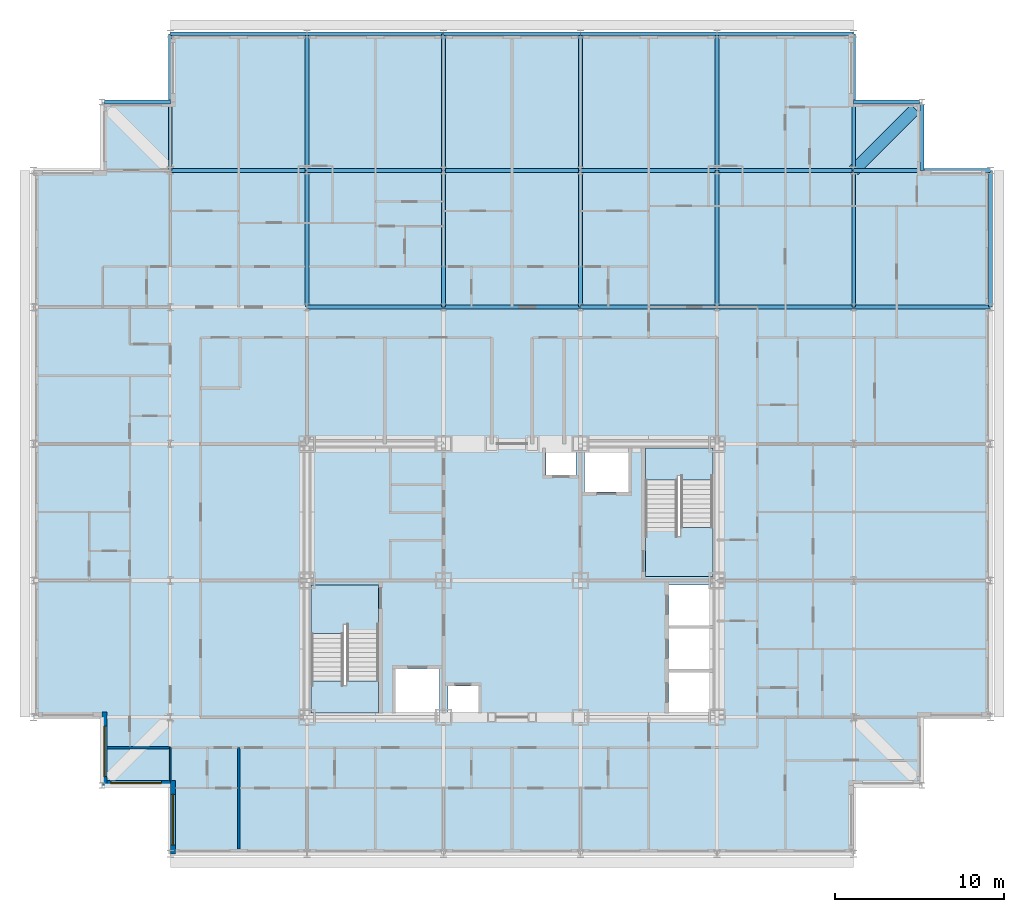
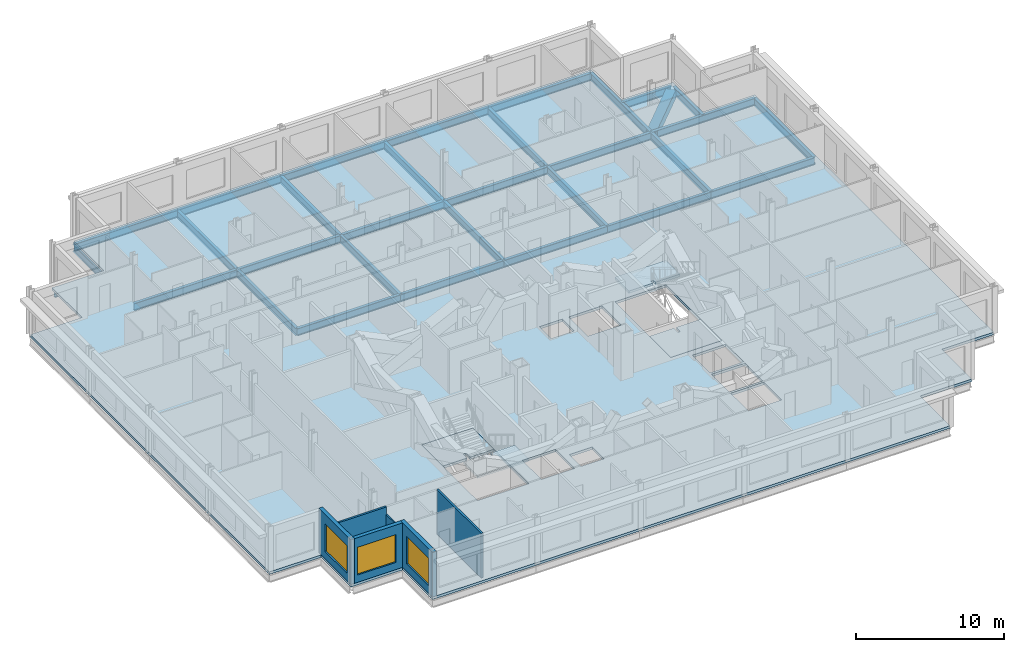
# One storey, part 6 of 16: 32 beams, 6 walls, 5 slabs, 3 windows, 3 openings, 2 elements without a shape of their own.
"""IFC4 building model written with IfcOpenShell, lengths in metres."""

from ifc_helpers import new_model, si_unit, direction, frame, frame_2d, origin, origin_2d, place, context, subcontext, project, spatial, polyline, rectangle, hollow_rectangle, i_section, outline, extrude, material, layer, layer_set, material_profile, profile_set, type_object, element, fill, aggregate, save


model = new_model("IFC4")

# Units and contexts
model_context = context("Model", 3, precision=1e-05, world=origin(), true_north=direction((0.0, 1.0)))
body_context = subcontext(model_context, "Body", "Model", "MODEL_VIEW")
ifc_project = project(units=[si_unit("LENGTHUNIT", "METRE"), si_unit("AREAUNIT", "SQUARE_METRE"), si_unit("VOLUMEUNIT", "CUBIC_METRE"), si_unit("PLANEANGLEUNIT", "RADIAN"), si_unit("MASSUNIT", "GRAM", prefix="KILO")], contexts=[model_context])

# Site, building, storey
site_placement = place(None, origin())
site = spatial("IfcSite", under=ifc_project, at=site_placement, CompositionType="ELEMENT")
building_placement = place(site_placement, origin())
building = spatial("IfcBuilding", under=site, at=building_placement, Name="Kopane Lantern Tower", CompositionType="ELEMENT")
storey_placement = place(building_placement, frame((0.0, 0.0, 265.800048828125)))
storey = spatial("IfcBuildingStorey", under=building, at=storey_placement, Name="L68", CompositionType="ELEMENT", Elevation=265.800048828125)

# Beams
ifc_material_1 = material(Name="Steel S355JR", Category="steel")
ifc_material_profile_1 = material_profile(ifc_material_1, hollow_rectangle(XDim=0.699951171875, YDim=0.699951171875, WallThickness=0.06005859375, at=origin_2d()), Name="BOX 700x700x60")
ifc_profile_set_1 = profile_set([ifc_material_profile_1], Name="Steel S355JR")
beam_type_1 = type_object("IfcBeamType", Name="CORNER TIE BEAM BOX 700x700x60", PredefinedType="BEAM", material=ifc_profile_set_1)
beam_1_placement = place(storey_placement, frame((52.25244140625, 60.3525390625, -0.56005859375), z_axis=(-0.707083148333, -0.70713041325, 0.0), x_axis=(0.70713041325, -0.707083148333, 0.0)))
element("IfcBeam", 1, at=beam_1_placement, inside=storey, type_object=beam_type_1, Name="Corner Tie Beam L68", PredefinedType="BEAM", context=body_context, shape_type="SweptSolid", body=[
    extrude(hollow_rectangle(XDim=0.699951171875, YDim=0.699951171875, WallThickness=0.06005859375, at=origin_2d()), origin(), (0.0, 0.0, 1.0), 5.165283203125),
])
ifc_material_2 = material(Name="Steel S355JR", Category="steel")
ifc_material_profile_2 = material_profile(ifc_material_2, i_section(OverallWidth=0.22900390625, OverallDepth=0.6123046875, WebThickness=0.011962890625, FlangeThickness=0.01953125, FilletRadius=0.0126953125, at=origin_2d()), Name="UB 610x229x125")
ifc_profile_set_2 = profile_set([ifc_material_profile_2], Name="Steel S355JR")
beam_type_2 = type_object("IfcBeamType", Name="EDGE BEAM UB 610x229x125", PredefinedType="BEAM", material=ifc_profile_set_2)
beam_2_placement = place(storey_placement, frame((4.20361328125, 60.75, -0.51611328125), z_axis=(1.0, 0.0, 0.0), x_axis=(0.0, 1.0, 0.0)))
element("IfcBeam", 2, at=beam_2_placement, inside=storey, type_object=beam_type_2, Name="Edge Beam L68", PredefinedType="BEAM", context=body_context, shape_type="SweptSolid", body=[
    extrude(i_section(OverallWidth=0.22900390625, OverallDepth=0.6123046875, WebThickness=0.011962890625, FlangeThickness=0.01953125, FilletRadius=0.0126953125, at=origin_2d()), origin(), (0.0, 0.0, 1.0), 3.896484375),
])
for number, where, z_axis, x_axis, name in (
    (3, (52.496337890625, 60.75, -0.51611328125), (-1.0, 0.0, 0.0), (0.0, -1.0, 0.0), "Edge Beam L68"),
    (4, (52.64990234375, 60.59619140625, -0.51611328125), (0.0, -1.0, 0.0), (1.0, 0.0, 0.0), "Edge Beam L68"),
):
    element("IfcBeam", number, at=place(storey_placement, frame(where, z_axis=z_axis, x_axis=x_axis)), inside=storey, type_object=beam_type_2, Name=name, PredefinedType="BEAM", context=body_context, shape_type="SweptSolid", body=[
        extrude(i_section(OverallWidth=0.22900390625, OverallDepth=0.6123046875, WebThickness=0.011962890625, FlangeThickness=0.01953125, FilletRadius=0.0126953125, at=origin_2d()), origin(), (0.0, 0.0, 1.0), 3.896240234375),
    ])
ifc_material_3 = material(Name="Steel S355JR", Category="steel")
ifc_material_profile_3 = material_profile(ifc_material_3, i_section(OverallWidth=0.22900390625, OverallDepth=0.6123046875, WebThickness=0.011962890625, FlangeThickness=0.01953125, FilletRadius=0.0126953125, at=origin_2d()), Name="UB 610x229x125")
ifc_profile_set_3 = profile_set([ifc_material_profile_3], Name="Steel S355JR")
beam_type_3 = type_object("IfcBeamType", Name="GIRDER UB 610x229x125", PredefinedType="BEAM", material=ifc_profile_set_3)
beam_3_placement = place(storey_placement, frame((8.10009765625, 56.699951171875, -0.51611328125), z_axis=(0.0, 1.0, 0.0), x_axis=(-1.0, 0.0, 0.0)))
element("IfcBeam", 5, at=beam_3_placement, inside=storey, type_object=beam_type_3, Name="Girder L68", PredefinedType="BEAM", context=body_context, shape_type="SweptSolid", body=[
    extrude(i_section(OverallWidth=0.22900390625, OverallDepth=0.6123046875, WebThickness=0.011962890625, FlangeThickness=0.01953125, FilletRadius=0.0126953125, at=origin_2d()), origin(), (0.0, 0.0, 1.0), 8.10009765625),
])
for number, where, z_axis, x_axis, name in (
    (6, (8.10009765625, 56.699951171875, -0.51611328125), (1.0, 0.0, 0.0), (0.0, 1.0, 0.0), "Girder L68"),
    (7, (8.10009765625, 64.800048828125, -0.51611328125), (1.0, 0.0, 0.0), (0.0, 1.0, 0.0), "Girder L68"),
    (8, (16.199951171875, 48.60009765625, -0.51611328125), (0.0, 1.0, 0.0), (-1.0, 0.0, 0.0), "Girder L68"),
):
    element("IfcBeam", number, at=place(storey_placement, frame(where, z_axis=z_axis, x_axis=x_axis)), inside=storey, type_object=beam_type_3, Name=name, PredefinedType="BEAM", context=body_context, shape_type="SweptSolid", body=[
        extrude(i_section(OverallWidth=0.22900390625, OverallDepth=0.6123046875, WebThickness=0.011962890625, FlangeThickness=0.01953125, FilletRadius=0.0126953125, at=origin_2d()), origin(), (0.0, 0.0, 1.0), 8.099853515625),
    ])
for number, where, z_axis, x_axis, name in (
    (9, (16.199951171875, 48.60009765625, -0.51611328125), (1.0, 0.0, 0.0), (0.0, 1.0, 0.0), "Girder L68"),
    (10, (16.199951171875, 56.699951171875, -0.51611328125), (0.0, 1.0, 0.0), (-1.0, 0.0, 0.0), "Girder L68"),
    (11, (16.199951171875, 56.699951171875, -0.51611328125), (1.0, 0.0, 0.0), (0.0, 1.0, 0.0), "Girder L68"),
    (12, (16.199951171875, 64.800048828125, -0.51611328125), (1.0, 0.0, 0.0), (0.0, 1.0, 0.0), "Girder L68"),
):
    element("IfcBeam", number, at=place(storey_placement, frame(where, z_axis=z_axis, x_axis=x_axis)), inside=storey, type_object=beam_type_3, Name=name, PredefinedType="BEAM", context=body_context, shape_type="SweptSolid", body=[
        extrude(i_section(OverallWidth=0.22900390625, OverallDepth=0.6123046875, WebThickness=0.011962890625, FlangeThickness=0.01953125, FilletRadius=0.0126953125, at=origin_2d()), origin(), (0.0, 0.0, 1.0), 8.10009765625),
    ])
for number, where, z_axis, x_axis, name in (
    (13, (24.300048828125, 48.60009765625, -0.51611328125), (0.0, 1.0, 0.0), (-1.0, 0.0, 0.0), "Girder L68"),
    (14, (24.300048828125, 48.60009765625, -0.51611328125), (1.0, 0.0, 0.0), (0.0, 1.0, 0.0), "Girder L68"),
):
    element("IfcBeam", number, at=place(storey_placement, frame(where, z_axis=z_axis, x_axis=x_axis)), inside=storey, type_object=beam_type_3, Name=name, PredefinedType="BEAM", context=body_context, shape_type="SweptSolid", body=[
        extrude(i_section(OverallWidth=0.22900390625, OverallDepth=0.6123046875, WebThickness=0.011962890625, FlangeThickness=0.01953125, FilletRadius=0.0126953125, at=origin_2d()), origin(), (0.0, 0.0, 1.0), 8.099853515625),
    ])
beam_4_placement = place(storey_placement, frame((24.300048828125, 56.699951171875, -0.51611328125), z_axis=(0.0, 1.0, 0.0), x_axis=(-1.0, 0.0, 0.0)))
element("IfcBeam", 15, at=beam_4_placement, inside=storey, type_object=beam_type_3, Name="Girder L68", PredefinedType="BEAM", context=body_context, shape_type="SweptSolid", body=[
    extrude(i_section(OverallWidth=0.22900390625, OverallDepth=0.6123046875, WebThickness=0.011962890625, FlangeThickness=0.01953125, FilletRadius=0.0126953125, at=origin_2d()), origin(), (0.0, 0.0, 1.0), 8.10009765625),
])
for number, where, z_axis, x_axis, name in (
    (16, (24.300048828125, 56.699951171875, -0.51611328125), (1.0, 0.0, 0.0), (0.0, 1.0, 0.0), "Girder L68"),
    (17, (24.300048828125, 64.800048828125, -0.51611328125), (1.0, 0.0, 0.0), (0.0, 1.0, 0.0), "Girder L68"),
    (18, (32.39990234375, 48.60009765625, -0.51611328125), (0.0, 1.0, 0.0), (-1.0, 0.0, 0.0), "Girder L68"),
):
    element("IfcBeam", number, at=place(storey_placement, frame(where, z_axis=z_axis, x_axis=x_axis)), inside=storey, type_object=beam_type_3, Name=name, PredefinedType="BEAM", context=body_context, shape_type="SweptSolid", body=[
        extrude(i_section(OverallWidth=0.22900390625, OverallDepth=0.6123046875, WebThickness=0.011962890625, FlangeThickness=0.01953125, FilletRadius=0.0126953125, at=origin_2d()), origin(), (0.0, 0.0, 1.0), 8.099853515625),
    ])
for number, where, z_axis, x_axis, name in (
    (19, (32.39990234375, 48.60009765625, -0.51611328125), (1.0, 0.0, 0.0), (0.0, 1.0, 0.0), "Girder L68"),
    (20, (32.39990234375, 56.699951171875, -0.51611328125), (0.0, 1.0, 0.0), (-1.0, 0.0, 0.0), "Girder L68"),
    (21, (32.39990234375, 56.699951171875, -0.51611328125), (1.0, 0.0, 0.0), (0.0, 1.0, 0.0), "Girder L68"),
    (22, (32.39990234375, 64.800048828125, -0.51611328125), (1.0, 0.0, 0.0), (0.0, 1.0, 0.0), "Girder L68"),
):
    element("IfcBeam", number, at=place(storey_placement, frame(where, z_axis=z_axis, x_axis=x_axis)), inside=storey, type_object=beam_type_3, Name=name, PredefinedType="BEAM", context=body_context, shape_type="SweptSolid", body=[
        extrude(i_section(OverallWidth=0.22900390625, OverallDepth=0.6123046875, WebThickness=0.011962890625, FlangeThickness=0.01953125, FilletRadius=0.0126953125, at=origin_2d()), origin(), (0.0, 0.0, 1.0), 8.10009765625),
    ])
beam_5_placement = place(storey_placement, frame((40.5, 48.60009765625, -0.51611328125), z_axis=(0.0, 1.0, 0.0), x_axis=(-1.0, 0.0, 0.0)))
element("IfcBeam", 23, at=beam_5_placement, inside=storey, type_object=beam_type_3, Name="Girder L68", PredefinedType="BEAM", context=body_context, shape_type="SweptSolid", body=[
    extrude(i_section(OverallWidth=0.22900390625, OverallDepth=0.6123046875, WebThickness=0.011962890625, FlangeThickness=0.01953125, FilletRadius=0.0126953125, at=origin_2d()), origin(), (0.0, 0.0, 1.0), 8.099853515625),
])
for number, where, z_axis, x_axis, name in (
    (24, (40.5, 48.60009765625, -0.51611328125), (1.0, 0.0, 0.0), (0.0, 1.0, 0.0), "Girder L68"),
    (25, (40.5, 56.699951171875, -0.51611328125), (0.0, 1.0, 0.0), (-1.0, 0.0, 0.0), "Girder L68"),
    (26, (40.5, 56.699951171875, -0.51611328125), (1.0, 0.0, 0.0), (0.0, 1.0, 0.0), "Girder L68"),
    (27, (40.5, 64.800048828125, -0.51611328125), (1.0, 0.0, 0.0), (0.0, 1.0, 0.0), "Girder L68"),
):
    element("IfcBeam", number, at=place(storey_placement, frame(where, z_axis=z_axis, x_axis=x_axis)), inside=storey, type_object=beam_type_3, Name=name, PredefinedType="BEAM", context=body_context, shape_type="SweptSolid", body=[
        extrude(i_section(OverallWidth=0.22900390625, OverallDepth=0.6123046875, WebThickness=0.011962890625, FlangeThickness=0.01953125, FilletRadius=0.0126953125, at=origin_2d()), origin(), (0.0, 0.0, 1.0), 8.10009765625),
    ])
for number, where, z_axis, x_axis, name in (
    (28, (48.60009765625, 48.60009765625, -0.51611328125), (0.0, 1.0, 0.0), (-1.0, 0.0, 0.0), "Girder L68"),
    (29, (48.60009765625, 48.60009765625, -0.51611328125), (1.0, 0.0, 0.0), (0.0, 1.0, 0.0), "Girder L68"),
):
    element("IfcBeam", number, at=place(storey_placement, frame(where, z_axis=z_axis, x_axis=x_axis)), inside=storey, type_object=beam_type_3, Name=name, PredefinedType="BEAM", context=body_context, shape_type="SweptSolid", body=[
        extrude(i_section(OverallWidth=0.22900390625, OverallDepth=0.6123046875, WebThickness=0.011962890625, FlangeThickness=0.01953125, FilletRadius=0.0126953125, at=origin_2d()), origin(), (0.0, 0.0, 1.0), 8.099853515625),
    ])
beam_6_placement = place(storey_placement, frame((48.60009765625, 56.699951171875, -0.51611328125), z_axis=(0.0, 1.0, 0.0), x_axis=(-1.0, 0.0, 0.0)))
element("IfcBeam", 30, at=beam_6_placement, inside=storey, type_object=beam_type_3, Name="Girder L68", PredefinedType="BEAM", context=body_context, shape_type="SweptSolid", body=[
    extrude(i_section(OverallWidth=0.22900390625, OverallDepth=0.6123046875, WebThickness=0.011962890625, FlangeThickness=0.01953125, FilletRadius=0.0126953125, at=origin_2d()), origin(), (0.0, 0.0, 1.0), 8.10009765625),
])
for number, where, z_axis, x_axis, name in (
    (31, (48.60009765625, 56.699951171875, -0.51611328125), (1.0, 0.0, 0.0), (0.0, 1.0, 0.0), "Girder L68"),
    (32, (56.699951171875, 48.60009765625, -0.51611328125), (0.0, 1.0, 0.0), (-1.0, 0.0, 0.0), "Girder L68"),
):
    element("IfcBeam", number, at=place(storey_placement, frame(where, z_axis=z_axis, x_axis=x_axis)), inside=storey, type_object=beam_type_3, Name=name, PredefinedType="BEAM", context=body_context, shape_type="SweptSolid", body=[
        extrude(i_section(OverallWidth=0.22900390625, OverallDepth=0.6123046875, WebThickness=0.011962890625, FlangeThickness=0.01953125, FilletRadius=0.0126953125, at=origin_2d()), origin(), (0.0, 0.0, 1.0), 8.099853515625),
    ])

# Slab
ifc_material_4 = material(Name="Concrete C40/50", Category="concrete")
ifc_layer_1 = layer(ifc_material_4, 0.2099609375)
ifc_layer_set_1 = layer_set([ifc_layer_1], Name="SLAB 210 COMPOSITE")
slab_type_1 = type_object("IfcSlabType", Name="SLAB 210 COMPOSITE", PredefinedType="FLOOR", material=ifc_layer_set_1)
slab_1_placement = place(storey_placement, frame((0.0, 0.0, -0.2099609375)))
element("IfcSlab", 33, at=slab_1_placement, inside=storey, type_object=slab_type_1, Name="Floor slab L68", PredefinedType="FLOOR", context=body_context, shape_type="SweptSolid", body=[
    extrude(outline(polyline([(8.10009765625, 16.199951171875), (48.60009765625, 16.199951171875), (48.60009765625, 20.25), (52.64990234375, 20.25), (52.64990234375, 24.300048828125), (56.699951171875, 24.300048828125), (56.699951171875, 56.699951171875), (52.64990234375, 56.699951171875), (52.64990234375, 60.75), (48.60009765625, 60.75), (48.60009765625, 64.800048828125), (8.10009765625, 64.800048828125), (8.10009765625, 60.75), (4.050048828125, 60.75), (4.050048828125, 56.699951171875), (0.0, 56.699951171875), (0.0, 24.300048828125), (4.050048828125, 24.300048828125), (4.050048828125, 20.25), (8.10009765625, 20.25), (8.10009765625, 16.199951171875)]), holes=[polyline([(16.449951171875, 24.550048828125), (20.449951171875, 24.550048828125), (20.449951171875, 32.14990234375), (16.449951171875, 32.14990234375), (16.449951171875, 24.550048828125)]), polyline([(36.25, 32.64990234375), (40.25, 32.64990234375), (40.25, 40.25), (36.25, 40.25), (36.25, 32.64990234375)]), polyline([(37.64990234375, 24.550048828125), (40.25, 24.550048828125), (40.25, 26.949951171875), (37.64990234375, 26.949951171875), (37.64990234375, 24.550048828125)]), polyline([(37.64990234375, 27.14990234375), (40.25, 27.14990234375), (40.25, 29.550048828125), (37.64990234375, 29.550048828125), (37.64990234375, 27.14990234375)]), polyline([(37.64990234375, 29.75), (40.25, 29.75), (40.25, 32.14990234375), (37.64990234375, 32.14990234375), (37.64990234375, 29.75)]), polyline([(21.449951171875, 24.550048828125), (24.050048828125, 24.550048828125), (24.050048828125, 27.14990234375), (21.449951171875, 27.14990234375), (21.449951171875, 24.550048828125)]), polyline([(32.64990234375, 37.64990234375), (35.25, 37.64990234375), (35.25, 40.25), (32.64990234375, 40.25), (32.64990234375, 37.64990234375)]), polyline([(24.550048828125, 24.550048828125), (26.35009765625, 24.550048828125), (26.35009765625, 26.14990234375), (24.550048828125, 26.14990234375), (24.550048828125, 24.550048828125)]), polyline([(30.35009765625, 38.64990234375), (32.14990234375, 38.64990234375), (32.14990234375, 40.25), (30.35009765625, 40.25), (30.35009765625, 38.64990234375)])]), origin(), (0.0, 0.0, 1.0), 0.2099609375),
])

# Stair, slabs
ifc_material_5 = material(Name="Steel S355JR", Category="steel")
stair_type = type_object("IfcStairType", Name="EXIT STAIR 1900 HALF TURN", PredefinedType="HALF_TURN_STAIR", material=ifc_material_5)
stair_1_placement = place(storey_placement, origin())
stair_1 = element("IfcStair", 34, at=stair_1_placement, inside=storey, type_object=stair_type, Name="Exit stair ST1 L68", PredefinedType="HALF_TURN_STAIR")
ifc_material_6 = material(Name="Concrete C40/50", Category="concrete")
ifc_layer_2 = layer(ifc_material_6, 0.199951171875)
ifc_layer_set_2 = layer_set([ifc_layer_2], Name="STAIR LANDING 200")
slab_type_2 = type_object("IfcSlabType", Name="STAIR LANDING 200", PredefinedType="LANDING", material=ifc_layer_set_2)
slab_2_placement = place(storey_placement, frame((0.0, 0.0, -0.199951171875)))
slab_2 = element("IfcSlab", 35, at=slab_2_placement, type_object=slab_type_2, Name="ST1 landing 1", PredefinedType="LANDING", context=body_context, shape_type="SweptSolid", body=[
    extrude(outline(polyline([(18.35009765625, 29.81005859375), (18.550048828125, 29.81005859375), (18.550048828125, 29.25), (20.449951171875, 29.25), (20.449951171875, 32.14990234375), (16.449951171875, 32.14990234375), (16.449951171875, 29.25), (18.35009765625, 29.25), (18.35009765625, 29.81005859375)])), origin(), (0.0, 0.0, 1.0), 0.199951171875),
])
slab_3_placement = place(storey_placement, frame((0.0, 0.0, 1.834716796875)))
slab_3 = element("IfcSlab", 36, at=slab_3_placement, type_object=slab_type_2, Name="ST1 landing 2", PredefinedType="LANDING", context=body_context, shape_type="SweptSolid", body=[
    extrude(outline(polyline([(20.449951171875, 26.449951171875), (18.550048828125, 26.449951171875), (18.550048828125, 26.169921875), (18.35009765625, 26.169921875), (18.35009765625, 26.449951171875), (16.449951171875, 26.449951171875), (16.449951171875, 24.550048828125), (20.449951171875, 24.550048828125), (20.449951171875, 26.449951171875)])), origin(), (0.0, 0.0, 1.0), 0.199951171875),
])
aggregate(stair_1, [slab_2, slab_3])

stair_2_placement = place(storey_placement, origin())
stair_2 = element("IfcStair", 37, at=stair_2_placement, inside=storey, type_object=stair_type, Name="Exit stair ST2 L68", PredefinedType="HALF_TURN_STAIR")
slab_4_placement = place(storey_placement, frame((0.0, 0.0, -0.199951171875)))
slab_4 = element("IfcSlab", 38, at=slab_4_placement, type_object=slab_type_2, Name="ST2 landing 1", PredefinedType="LANDING", context=body_context, shape_type="SweptSolid", body=[
    extrude(outline(polyline([(40.25, 35.550048828125), (38.35009765625, 35.550048828125), (38.35009765625, 34.989990234375), (38.14990234375, 34.989990234375), (38.14990234375, 35.550048828125), (36.25, 35.550048828125), (36.25, 32.64990234375), (40.25, 32.64990234375), (40.25, 35.550048828125)])), origin(), (0.0, 0.0, 1.0), 0.199951171875),
])
slab_5_placement = place(storey_placement, frame((0.0, 0.0, 1.834716796875)))
slab_5 = element("IfcSlab", 39, at=slab_5_placement, type_object=slab_type_2, Name="ST2 landing 2", PredefinedType="LANDING", context=body_context, shape_type="SweptSolid", body=[
    extrude(outline(polyline([(38.14990234375, 38.6298828125), (38.35009765625, 38.6298828125), (38.35009765625, 38.35009765625), (40.25, 38.35009765625), (40.25, 40.25), (36.25, 40.25), (36.25, 38.35009765625), (38.14990234375, 38.35009765625), (38.14990234375, 38.6298828125)])), origin(), (0.0, 0.0, 1.0), 0.199951171875),
])
aggregate(stair_2, [slab_4, slab_5])

# Walls
ifc_material_7 = material(Name="Moisture-resistant board on steel studs", Category="steel")
ifc_layer_3 = layer(ifc_material_7, 0.10009765625)
ifc_layer_set_3 = layer_set([ifc_layer_3], Name="BATHROOM WALL 100")
wall_type_1 = type_object("IfcWallType", Name="BATHROOM WALL 100", PredefinedType="PARTITIONING", material=ifc_layer_set_3)
wall_1_placement = place(storey_placement, frame((8.10009765625, 22.5, 0.0), z_axis=(0.0, 0.0, 1.0), x_axis=(0.0, -1.0, 0.0)))
element("IfcWall", 40, at=wall_1_placement, inside=storey, type_object=wall_type_1, Name="Bathroom Wall 100 L68", PredefinedType="PARTITIONING", context=body_context, shape_type="SweptSolid", body=[
    extrude(rectangle(XDim=1.949951171875, YDim=0.10009765625, at=frame_2d((0.97509765625, 0.0))), origin(), (0.0, 0.0, 1.0), 3.07763671875),
])
ifc_material_8 = material(Name="Gypsum board on steel studs", Category="steel")
ifc_layer_4 = layer(ifc_material_8, 0.14990234375)
ifc_layer_set_4 = layer_set([ifc_layer_4], Name="DEMISING WALL 150 EI 60")
wall_type_2 = type_object("IfcWallType", Name="DEMISING WALL 150 EI 60", PredefinedType="PARTITIONING", material=ifc_layer_set_4)
wall_2_placement = place(storey_placement, frame((4.35009765625, 22.5, 0.0), z_axis=(0.0, 0.0, 1.0), x_axis=(1.0, 0.0, 0.0)))
element("IfcWall", 41, at=wall_2_placement, inside=storey, type_object=wall_type_2, Name="Demising Wall 150 Ei 60 L68", PredefinedType="PARTITIONING", context=body_context, shape_type="SweptSolid", body=[
    extrude(rectangle(XDim=3.75, YDim=0.14990234375, at=frame_2d((1.875, 0.0))), origin(), (0.0, 0.0, 1.0), 3.68994140625),
])
wall_3_placement = place(storey_placement, frame((12.14990234375, 22.5, 0.0), z_axis=(0.0, 0.0, 1.0), x_axis=(0.0, -1.0, 0.0)))
element("IfcWall", 42, at=wall_3_placement, inside=storey, type_object=wall_type_2, Name="Demising Wall 150 Ei 60 L68", PredefinedType="PARTITIONING", context=body_context, shape_type="SweptSolid", body=[
    extrude(rectangle(XDim=6.0, YDim=0.14990234375, at=frame_2d((3.0, 0.0))), origin(), (0.0, 0.0, 1.0), 3.68994140625),
])

# Wall, opening, window
ifc_material_9 = material(Name="Terracotta rainscreen on light steel framing", Category="masonry")
ifc_layer_5 = layer(ifc_material_9, 0.300048828125)
ifc_layer_set_5 = layer_set([ifc_layer_5], Name="EXTERNAL WALL EW1 300 TERRACOTTA")
wall_type_3 = type_object("IfcWallType", Name="EXTERNAL WALL EW1 300 TERRACOTTA", PredefinedType="SOLIDWALL", material=ifc_layer_set_5)
wall_4_placement = place(storey_placement, frame((4.199951171875, 24.60009765625, 0.0), z_axis=(0.0, 0.0, 1.0), x_axis=(0.0, -1.0, 0.0)))
wall_4 = element("IfcWall", 43, at=wall_4_placement, inside=storey, type_object=wall_type_3, Name="External wall W L68", PredefinedType="SOLIDWALL", context=body_context, shape_type="SweptSolid", body=[
    extrude(rectangle(XDim=4.35009765625, YDim=0.300048828125, at=frame_2d((2.175048828125, 0.0))), origin(), (0.0, 0.0, 1.0), 3.68994140625),
])
opening_1_placement = place(wall_4_placement, frame((0.824951171875, 0.0, 0.60009765625)))
opening_1 = element("IfcOpeningElement", 44, at=opening_1_placement, cuts=wall_4, Name="Opening WR300230", PredefinedType="OPENING", context=body_context, shape_type="SweptSolid", body=[
    extrude(rectangle(XDim=3.0, YDim=2.300048828125, at=frame_2d((1.5, 1.14990234375))), frame((0.0, 0.159912109375, 0.0), z_axis=(0.0, -1.0, 0.0), x_axis=(1.0, 0.0, 0.0)), (0.0, 0.0, 1.0), 0.320068359375),
])
ifc_material_10 = material(Name="Aluminium and clear glass", Category="aluminium")
window_type = type_object("IfcWindowType", Name="RIBBON WINDOW WR300230 3000x2300", PartitioningType="SINGLE_PANEL", PredefinedType="WINDOW", material=ifc_material_10)
window_1_placement = place(opening_1_placement, origin())
window_1 = element("IfcWindow", 45, at=window_1_placement, inside=storey, type_object=window_type, Name="Window W L68", OverallHeight=2.300048828125, OverallWidth=3.0, PartitioningType="SINGLE_PANEL", PredefinedType="WINDOW", context=body_context, shape_type="SweptSolid", body=[
    extrude(rectangle(XDim=3.0, YDim=2.300048828125, at=frame_2d((1.5, 1.14990234375))), frame((0.0, 0.030029296875, 0.0), z_axis=(0.0, -1.0, 0.0), x_axis=(1.0, 0.0, 0.0)), (0.0, 0.0, 1.0), 0.06005859375),
])
fill(opening_1, window_1)

wall_5_placement = place(storey_placement, frame((4.35009765625, 20.39990234375, 0.0), z_axis=(0.0, 0.0, 1.0), x_axis=(1.0, 0.0, 0.0)))
wall_5 = element("IfcWall", 46, at=wall_5_placement, inside=storey, type_object=wall_type_3, Name="External wall S L68", PredefinedType="SOLIDWALL", context=body_context, shape_type="SweptSolid", body=[
    extrude(rectangle(XDim=3.75, YDim=0.300048828125, at=frame_2d((1.875, 0.0))), origin(), (0.0, 0.0, 1.0), 3.68994140625),
])
opening_2_placement = place(wall_5_placement, frame((0.22509765625, 0.0, 0.60009765625)))
opening_2 = element("IfcOpeningElement", 47, at=opening_2_placement, cuts=wall_5, Name="Opening WR300230", PredefinedType="OPENING", context=body_context, shape_type="SweptSolid", body=[
    extrude(rectangle(XDim=3.0, YDim=2.300048828125, at=frame_2d((1.5, 1.14990234375))), frame((0.0, 0.159912109375, 0.0), z_axis=(0.0, -1.0, 0.0), x_axis=(1.0, 0.0, 0.0)), (0.0, 0.0, 1.0), 0.320068359375),
])
window_2_placement = place(opening_2_placement, origin())
window_2 = element("IfcWindow", 48, at=window_2_placement, inside=storey, type_object=window_type, Name="Window S L68", OverallHeight=2.300048828125, OverallWidth=3.0, PartitioningType="SINGLE_PANEL", PredefinedType="WINDOW", context=body_context, shape_type="SweptSolid", body=[
    extrude(rectangle(XDim=3.0, YDim=2.300048828125, at=frame_2d((1.5, 1.14990234375))), frame((0.0, 0.030029296875, 0.0), z_axis=(0.0, -1.0, 0.0), x_axis=(1.0, 0.0, 0.0)), (0.0, 0.0, 1.0), 0.06005859375),
])
fill(opening_2, window_2)

wall_6_placement = place(storey_placement, frame((8.25, 20.550048828125, 0.0), z_axis=(0.0, 0.0, 1.0), x_axis=(0.0, -1.0, 0.0)))
wall_6 = element("IfcWall", 49, at=wall_6_placement, inside=storey, type_object=wall_type_3, Name="External wall W L68", PredefinedType="SOLIDWALL", context=body_context, shape_type="SweptSolid", body=[
    extrude(rectangle(XDim=4.35009765625, YDim=0.300048828125, at=frame_2d((2.175048828125, 0.0))), origin(), (0.0, 0.0, 1.0), 3.68994140625),
])
opening_3_placement = place(wall_6_placement, frame((0.824951171875, 0.0, 0.60009765625)))
opening_3 = element("IfcOpeningElement", 50, at=opening_3_placement, cuts=wall_6, Name="Opening WR300230", PredefinedType="OPENING", context=body_context, shape_type="SweptSolid", body=[
    extrude(rectangle(XDim=3.0, YDim=2.300048828125, at=frame_2d((1.5, 1.14990234375))), frame((0.0, 0.159912109375, 0.0), z_axis=(0.0, -1.0, 0.0), x_axis=(1.0, 0.0, 0.0)), (0.0, 0.0, 1.0), 0.320068359375),
])
window_3_placement = place(opening_3_placement, origin())
window_3 = element("IfcWindow", 51, at=window_3_placement, inside=storey, type_object=window_type, Name="Window W L68", OverallHeight=2.300048828125, OverallWidth=3.0, PartitioningType="SINGLE_PANEL", PredefinedType="WINDOW", context=body_context, shape_type="SweptSolid", body=[
    extrude(rectangle(XDim=3.0, YDim=2.300048828125, at=frame_2d((1.5, 1.14990234375))), frame((0.0, 0.030029296875, 0.0), z_axis=(0.0, -1.0, 0.0), x_axis=(1.0, 0.0, 0.0)), (0.0, 0.0, 1.0), 0.06005859375),
])
fill(opening_3, window_3)

save(model, "model.ifc")
